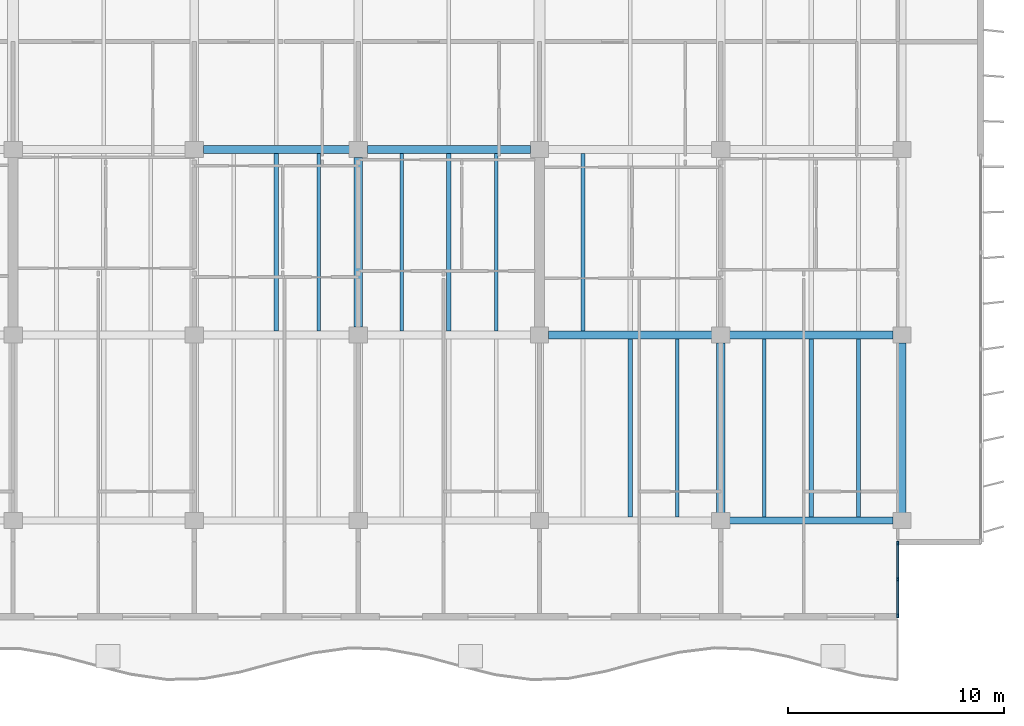
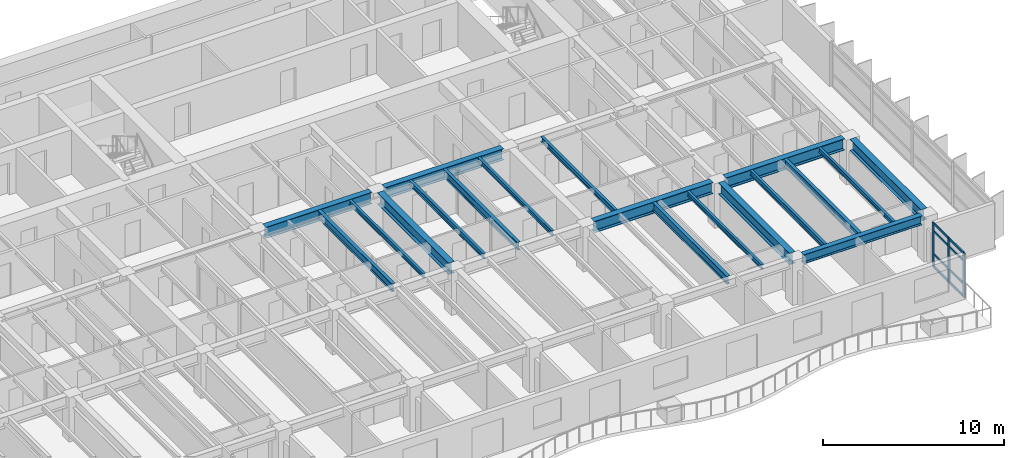
# One storey, part 4 of 19: 19 beams, 11 members, 1 element without a shape of its own.
"""IFC4 building model written with IfcOpenShell, lengths in metres."""

from ifc_helpers import new_model, si_unit, direction, frame, origin, origin_2d, place, context, subcontext, project, spatial, rectangle, i_section, extrude, material, layer, layer_set, material_profile, profile_set, type_object, element, aggregate, save


model = new_model("IFC4")

# Units and contexts
model_context = context("Model", 3, precision=1e-05, world=origin(), true_north=direction((0.0, 1.0)))
body_context = subcontext(model_context, "Body", "Model", "MODEL_VIEW")
ifc_project = project(units=[si_unit("LENGTHUNIT", "METRE"), si_unit("AREAUNIT", "SQUARE_METRE"), si_unit("VOLUMEUNIT", "CUBIC_METRE"), si_unit("PLANEANGLEUNIT", "RADIAN"), si_unit("MASSUNIT", "GRAM", prefix="KILO")], contexts=[model_context])

# Site, building, storey
site_placement = place(None, origin())
site = spatial("IfcSite", under=ifc_project, at=site_placement, CompositionType="ELEMENT")
building_placement = place(site_placement, origin())
building = spatial("IfcBuilding", under=site, at=building_placement, Name="Caelmar Bay Residences", CompositionType="ELEMENT")
storey_placement = place(building_placement, frame((0.0, 0.0, 218.10009765625)))
storey = spatial("IfcBuildingStorey", under=building, at=storey_placement, Name="L61", CompositionType="ELEMENT", Elevation=218.10009765625)

# Beams
ifc_material_1 = material(Name="Steel ASTM A992 Grade 50", Category="steel")
ifc_material_profile_1 = material_profile(ifc_material_1, i_section(OverallWidth=0.381103515625, OverallDepth=0.77197265625, WebThickness=0.0166015625, FlangeThickness=0.027099609375, FilletRadius=0.0166015625, at=origin_2d()), Name="W30X173")
ifc_profile_set_1 = profile_set([ifc_material_profile_1], Name="Steel ASTM A992 Grade 50")
beam_type_1 = type_object("IfcBeamType", Name="BM-GRD-W30X173", PredefinedType="BEAM", material=ifc_profile_set_1)
for number, where, z_axis, x_axis, name in (
    (1, (51.514892578125, 20.800048828125, 2.614013671875), (1.0, 0.0, 0.0), (0.0, 1.0, 0.0), "L61 East-West Girder Y=20.80 (51.1-59.5)"),
    (2, (59.9150390625, 20.800048828125, 2.614013671875), (1.0, 0.0, 0.0), (0.0, 1.0, 0.0), "L61 East-West Girder Y=20.80 (59.5-67.9)"),
):
    element("IfcBeam", number, at=place(storey_placement, frame(where, z_axis=z_axis, x_axis=x_axis)), inside=storey, type_object=beam_type_1, Name=name, PredefinedType="BEAM", context=body_context, shape_type="SweptSolid", body=[
        extrude(i_section(OverallWidth=0.381103515625, OverallDepth=0.77197265625, WebThickness=0.0166015625, FlangeThickness=0.027099609375, FilletRadius=0.0166015625, at=origin_2d()), origin(), (0.0, 0.0, 1.0), 7.570068359375),
    ])
beam_1_placement = place(storey_placement, frame((35.514892578125, 29.39990234375, 2.614013671875), z_axis=(1.0, 0.0, 0.0), x_axis=(0.0, 1.0, 0.0)))
element("IfcBeam", 3, at=beam_1_placement, inside=storey, type_object=beam_type_1, Name="L61 East-West Girder Y=29.40 (35.1-42.7)", PredefinedType="BEAM", context=body_context, shape_type="SweptSolid", body=[
    extrude(i_section(OverallWidth=0.381103515625, OverallDepth=0.77197265625, WebThickness=0.0166015625, FlangeThickness=0.027099609375, FilletRadius=0.0166015625, at=origin_2d()), origin(), (0.0, 0.0, 1.0), 6.77001953125),
])
beam_2_placement = place(storey_placement, frame((43.114990234375, 29.39990234375, 2.614013671875), z_axis=(1.0, 0.0, 0.0), x_axis=(0.0, 1.0, 0.0)))
element("IfcBeam", 4, at=beam_2_placement, inside=storey, type_object=beam_type_1, Name="L61 East-West Girder Y=29.40 (42.7-51.1)", PredefinedType="BEAM", context=body_context, shape_type="SweptSolid", body=[
    extrude(i_section(OverallWidth=0.381103515625, OverallDepth=0.77197265625, WebThickness=0.0166015625, FlangeThickness=0.027099609375, FilletRadius=0.0166015625, at=origin_2d()), origin(), (0.0, 0.0, 1.0), 7.570068359375),
])
beam_3_placement = place(storey_placement, frame((42.699951171875, 21.1650390625, 2.614013671875), z_axis=(0.0, 1.0, 0.0), x_axis=(-1.0, 0.0, 0.0)))
element("IfcBeam", 5, at=beam_3_placement, inside=storey, type_object=beam_type_1, Name="L61 North-South Girder X=42.70 (20.8-29.4)", PredefinedType="BEAM", context=body_context, shape_type="SweptSolid", body=[
    extrude(i_section(OverallWidth=0.381103515625, OverallDepth=0.77197265625, WebThickness=0.0166015625, FlangeThickness=0.027099609375, FilletRadius=0.0166015625, at=origin_2d()), origin(), (0.0, 0.0, 1.0), 7.869873046875),
])
for number, where, z_axis, x_axis, name in (
    (6, (59.5, 12.56494140625, 2.614013671875), (0.0, 1.0, 0.0), (-1.0, 0.0, 0.0), "L61 North-South Girder X=59.50 (12.2-20.8)"),
    (7, (67.89990234375, 12.56494140625, 2.614013671875), (0.0, 1.0, 0.0), (-1.0, 0.0, 0.0), "L61 North-South Girder X=67.90 (12.2-20.8)"),
):
    element("IfcBeam", number, at=place(storey_placement, frame(where, z_axis=z_axis, x_axis=x_axis)), inside=storey, type_object=beam_type_1, Name=name, PredefinedType="BEAM", context=body_context, shape_type="SweptSolid", body=[
        extrude(i_section(OverallWidth=0.381103515625, OverallDepth=0.77197265625, WebThickness=0.0166015625, FlangeThickness=0.027099609375, FilletRadius=0.0166015625, at=origin_2d()), origin(), (0.0, 0.0, 1.0), 7.8701171875),
    ])
ifc_material_profile_2 = material_profile(ifc_material_1, i_section(OverallWidth=0.1650390625, OverallDepth=0.31005859375, WebThickness=0.005859375, FlangeThickness=0.009765625, FilletRadius=0.007568359375, at=origin_2d()), Name="W12X26")
ifc_profile_set_2 = profile_set([ifc_material_profile_2], Name="Steel ASTM A992 Grade 50")
beam_type_2 = type_object("IfcBeamType", Name="BM-JST-W12X26", PredefinedType="JOIST", material=ifc_profile_set_2)
for number, where, z_axis, x_axis, name in (
    (8, (57.48388671875, 12.362548828125, 2.844970703125), (0.0, 1.0, 0.0), (-1.0, 0.0, 0.0), "L61 Composite Floor Joist 18"),
    (9, (65.884033203125, 12.362548828125, 2.844970703125), (0.0, 1.0, 0.0), (-1.0, 0.0, 0.0), "L61 Composite Floor Joist 21"),
):
    element("IfcBeam", number, at=place(storey_placement, frame(where, z_axis=z_axis, x_axis=x_axis)), inside=storey, type_object=beam_type_2, Name=name, PredefinedType="JOIST", context=body_context, shape_type="SweptSolid", body=[
        extrude(i_section(OverallWidth=0.1650390625, OverallDepth=0.31005859375, WebThickness=0.005859375, FlangeThickness=0.009765625, FilletRadius=0.007568359375, at=origin_2d()), origin(), (0.0, 0.0, 1.0), 8.2470703125),
    ])
for number, where, z_axis, x_axis, name in (
    (10, (40.8759765625, 20.990478515625, 2.844970703125), (0.0, 1.0, 0.0), (-1.0, 0.0, 0.0), "L61 Composite Floor Joist 33"),
    (11, (49.083984375, 20.990478515625, 2.844970703125), (0.0, 1.0, 0.0), (-1.0, 0.0, 0.0), "L61 Composite Floor Joist 36"),
):
    element("IfcBeam", number, at=place(storey_placement, frame(where, z_axis=z_axis, x_axis=x_axis)), inside=storey, type_object=beam_type_2, Name=name, PredefinedType="JOIST", context=body_context, shape_type="SweptSolid", body=[
        extrude(i_section(OverallWidth=0.1650390625, OverallDepth=0.31005859375, WebThickness=0.005859375, FlangeThickness=0.009765625, FilletRadius=0.007568359375, at=origin_2d()), origin(), (0.0, 0.0, 1.0), 8.218994140625),
    ])
ifc_material_profile_3 = material_profile(ifc_material_1, i_section(OverallWidth=0.1708984375, OverallDepth=0.35595703125, WebThickness=0.007080078125, FlangeThickness=0.01171875, FilletRadius=0.007568359375, at=origin_2d()), Name="W14X34")
ifc_profile_set_3 = profile_set([ifc_material_profile_3], Name="Steel ASTM A992 Grade 50")
beam_type_3 = type_object("IfcBeamType", Name="BM-JST-W14X34", PredefinedType="JOIST", material=ifc_profile_set_3)
beam_4_placement = place(storey_placement, frame((61.51611328125, 12.362548828125, 2.822021484375), z_axis=(0.0, 1.0, 0.0), x_axis=(-1.0, 0.0, 0.0)))
element("IfcBeam", 12, at=beam_4_placement, inside=storey, type_object=beam_type_3, Name="L61 Composite Floor Joist 19", PredefinedType="JOIST", context=body_context, shape_type="SweptSolid", body=[
    extrude(i_section(OverallWidth=0.1708984375, OverallDepth=0.35595703125, WebThickness=0.007080078125, FlangeThickness=0.01171875, FilletRadius=0.007568359375, at=origin_2d()), origin(), (0.0, 0.0, 1.0), 8.2470703125),
])
for number, where, z_axis, x_axis, name in (
    (13, (44.716064453125, 20.990478515625, 2.822021484375), (0.0, 1.0, 0.0), (-1.0, 0.0, 0.0), "L61 Composite Floor Joist 34"),
    (14, (53.115966796875, 20.990478515625, 2.822021484375), (0.0, 1.0, 0.0), (-1.0, 0.0, 0.0), "L61 Composite Floor Joist 37"),
):
    element("IfcBeam", number, at=place(storey_placement, frame(where, z_axis=z_axis, x_axis=x_axis)), inside=storey, type_object=beam_type_3, Name=name, PredefinedType="JOIST", context=body_context, shape_type="SweptSolid", body=[
        extrude(i_section(OverallWidth=0.1708984375, OverallDepth=0.35595703125, WebThickness=0.007080078125, FlangeThickness=0.01171875, FilletRadius=0.007568359375, at=origin_2d()), origin(), (0.0, 0.0, 1.0), 8.218994140625),
    ])
ifc_material_profile_4 = material_profile(ifc_material_1, i_section(OverallWidth=0.2099609375, OverallDepth=0.535888671875, WebThickness=0.010986328125, FlangeThickness=0.017333984375, FilletRadius=0.0126953125, at=origin_2d()), Name="W21X68")
ifc_profile_set_4 = profile_set([ifc_material_profile_4], Name="Steel ASTM A992 Grade 50")
beam_type_4 = type_object("IfcBeamType", Name="BM-JST-W21X68", PredefinedType="JOIST", material=ifc_profile_set_4)
for number, where, z_axis, x_axis, name in (
    (15, (55.300048828125, 12.362548828125, 2.73193359375), (0.0, 1.0, 0.0), (-1.0, 0.0, 0.0), "L61 Composite Floor Joist 17"),
    (16, (63.699951171875, 12.362548828125, 2.73193359375), (0.0, 1.0, 0.0), (-1.0, 0.0, 0.0), "L61 Composite Floor Joist 20"),
):
    element("IfcBeam", number, at=place(storey_placement, frame(where, z_axis=z_axis, x_axis=x_axis)), inside=storey, type_object=beam_type_4, Name=name, PredefinedType="JOIST", context=body_context, shape_type="SweptSolid", body=[
        extrude(i_section(OverallWidth=0.2099609375, OverallDepth=0.535888671875, WebThickness=0.010986328125, FlangeThickness=0.017333984375, FilletRadius=0.0126953125, at=origin_2d()), origin(), (0.0, 0.0, 1.0), 8.2470703125),
    ])
for number, where, z_axis, x_axis, name in (
    (17, (38.89990234375, 20.990478515625, 2.73193359375), (0.0, 1.0, 0.0), (-1.0, 0.0, 0.0), "L61 Composite Floor Joist 32"),
    (18, (46.89990234375, 20.990478515625, 2.73193359375), (0.0, 1.0, 0.0), (-1.0, 0.0, 0.0), "L61 Composite Floor Joist 35"),
):
    element("IfcBeam", number, at=place(storey_placement, frame(where, z_axis=z_axis, x_axis=x_axis)), inside=storey, type_object=beam_type_4, Name=name, PredefinedType="JOIST", context=body_context, shape_type="SweptSolid", body=[
        extrude(i_section(OverallWidth=0.2099609375, OverallDepth=0.535888671875, WebThickness=0.010986328125, FlangeThickness=0.017333984375, FilletRadius=0.0126953125, at=origin_2d()), origin(), (0.0, 0.0, 1.0), 8.218994140625),
    ])
ifc_material_profile_5 = material_profile(ifc_material_1, i_section(OverallWidth=0.324951171875, OverallDepth=0.616943359375, WebThickness=0.013916015625, FlangeThickness=0.021484375, FilletRadius=0.0126953125, at=origin_2d()), Name="W24X117")
ifc_profile_set_5 = profile_set([ifc_material_profile_5], Name="Steel ASTM A992 Grade 50")
beam_type_5 = type_object("IfcBeamType", Name="BM-SPN-W24X117", PredefinedType="SPANDREL", material=ifc_profile_set_5)
beam_5_placement = place(storey_placement, frame((59.9150390625, 12.199951171875, 2.69140625), z_axis=(1.0, 0.0, 0.0), x_axis=(0.0, 1.0, 0.0)))
element("IfcBeam", 19, at=beam_5_placement, inside=storey, type_object=beam_type_5, Name="L61 East-West Girder Y=12.20 (59.5-67.9)", PredefinedType="SPANDREL", context=body_context, shape_type="SweptSolid", body=[
    extrude(i_section(OverallWidth=0.324951171875, OverallDepth=0.616943359375, WebThickness=0.013916015625, FlangeThickness=0.021484375, FilletRadius=0.0126953125, at=origin_2d()), origin(), (0.0, 0.0, 1.0), 7.570068359375),
])

# Curtain wall, members
ifc_material_2 = material(Name="Anodised bronze aluminium 6063-T6 and laminated glass", Category="aluminium")
ifc_layer = layer(ifc_material_2, 0.179931640625)
ifc_layer_set = layer_set([ifc_layer], Name="Anodised bronze aluminium 6063-T6 and laminated glass")
curtain_wall_type = type_object("IfcCurtainWallType", Name="CW6-NTC", PredefinedType="NOTDEFINED", material=ifc_layer_set)
curtain_wall_placement = place(storey_placement, origin())
curtain_wall = element("IfcCurtainWall", 20, at=curtain_wall_placement, inside=storey, type_object=curtain_wall_type, Name="CW6 curtain wall L61", PredefinedType="NOTDEFINED")
ifc_material_3 = material(Name="Anodised bronze aluminium 6063-T6", Category="aluminium")
ifc_material_profile_6 = material_profile(ifc_material_3, rectangle(XDim=0.080078125, YDim=0.179931640625, at=origin_2d()), Name="CWM-80X180")
ifc_profile_set_6 = profile_set([ifc_material_profile_6], Name="Anodised bronze aluminium 6063-T6")
member_type_1 = type_object("IfcMemberType", Name="CWM-180", PredefinedType="MULLION", material=ifc_profile_set_6)
member_1_placement = place(storey_placement, frame((67.699951171875, 7.7900390625, 0.0), z_axis=(0.0, 0.0, 1.0), x_axis=(-1.0, 0.0, 0.0)))
member_1 = element("IfcMember", 21, at=member_1_placement, type_object=member_type_1, Name="CW6 mullion 1", PredefinedType="MULLION", context=body_context, shape_type="SweptSolid", body=[
    extrude(rectangle(XDim=0.080078125, YDim=0.179931640625, at=origin_2d()), origin(), (0.0, 0.0, 1.0), 3.0),
])
member_2_placement = place(storey_placement, frame((67.699951171875, 9.47509765625, 0.0), z_axis=(0.0, 0.0, 1.0), x_axis=(-1.0, 0.0, 0.0)))
member_2 = element("IfcMember", 22, at=member_2_placement, type_object=member_type_1, Name="CW6 mullion 2", PredefinedType="MULLION", context=body_context, shape_type="SweptSolid", body=[
    extrude(rectangle(XDim=0.080078125, YDim=0.179931640625, at=origin_2d()), origin(), (0.0, 0.0, 1.0), 3.0),
])
member_3_placement = place(storey_placement, frame((67.699951171875, 11.159912109375, 0.0), z_axis=(0.0, 0.0, 1.0), x_axis=(-1.0, 0.0, 0.0)))
member_3 = element("IfcMember", 23, at=member_3_placement, type_object=member_type_1, Name="CW6 mullion 3", PredefinedType="MULLION", context=body_context, shape_type="SweptSolid", body=[
    extrude(rectangle(XDim=0.080078125, YDim=0.179931640625, at=origin_2d()), origin(), (0.0, 0.0, 1.0), 3.0),
])
ifc_material_profile_7 = material_profile(ifc_material_3, rectangle(XDim=0.080078125, YDim=0.139892578125, at=origin_2d()), Name="CWT-80X140")
ifc_profile_set_7 = profile_set([ifc_material_profile_7], Name="Anodised bronze aluminium 6063-T6")
member_type_2 = type_object("IfcMemberType", Name="CWT-140", PredefinedType="NOTDEFINED", material=ifc_profile_set_7)
member_4_placement = place(storey_placement, frame((67.699951171875, 7.830078125, 0.039794921875), z_axis=(0.0, 1.0, 0.0), x_axis=(-1.0, 0.0, 0.0)))
member_4 = element("IfcMember", 24, at=member_4_placement, type_object=member_type_2, Name="CW6 transom 1.1", ObjectType="TRANSOM", PredefinedType="USERDEFINED", context=body_context, shape_type="SweptSolid", body=[
    extrude(rectangle(XDim=0.080078125, YDim=0.139892578125, at=origin_2d()), origin(), (0.0, 0.0, 1.0), 1.60498046875),
])
member_5_placement = place(storey_placement, frame((67.699951171875, 7.830078125, 0.89990234375), z_axis=(0.0, 1.0, 0.0), x_axis=(-1.0, 0.0, 0.0)))
member_5 = element("IfcMember", 25, at=member_5_placement, type_object=member_type_2, Name="CW6 transom 1.2", ObjectType="TRANSOM", PredefinedType="USERDEFINED", context=body_context, shape_type="SweptSolid", body=[
    extrude(rectangle(XDim=0.080078125, YDim=0.139892578125, at=origin_2d()), origin(), (0.0, 0.0, 1.0), 1.60498046875),
])
member_6_placement = place(storey_placement, frame((67.699951171875, 7.830078125, 2.449951171875), z_axis=(0.0, 1.0, 0.0), x_axis=(-1.0, 0.0, 0.0)))
member_6 = element("IfcMember", 26, at=member_6_placement, type_object=member_type_2, Name="CW6 transom 1.3", ObjectType="TRANSOM", PredefinedType="USERDEFINED", context=body_context, shape_type="SweptSolid", body=[
    extrude(rectangle(XDim=0.080078125, YDim=0.139892578125, at=origin_2d()), origin(), (0.0, 0.0, 1.0), 1.60498046875),
])
member_7_placement = place(storey_placement, frame((67.699951171875, 7.830078125, 2.9599609375), z_axis=(0.0, 1.0, 0.0), x_axis=(-1.0, 0.0, 0.0)))
member_7 = element("IfcMember", 27, at=member_7_placement, type_object=member_type_2, Name="CW6 transom 1.4", ObjectType="TRANSOM", PredefinedType="USERDEFINED", context=body_context, shape_type="SweptSolid", body=[
    extrude(rectangle(XDim=0.080078125, YDim=0.139892578125, at=origin_2d()), origin(), (0.0, 0.0, 1.0), 1.60498046875),
])
member_8_placement = place(storey_placement, frame((67.699951171875, 9.514892578125, 0.039794921875), z_axis=(0.0, 1.0, 0.0), x_axis=(-1.0, 0.0, 0.0)))
member_8 = element("IfcMember", 28, at=member_8_placement, type_object=member_type_2, Name="CW6 transom 2.1", ObjectType="TRANSOM", PredefinedType="USERDEFINED", context=body_context, shape_type="SweptSolid", body=[
    extrude(rectangle(XDim=0.080078125, YDim=0.139892578125, at=origin_2d()), origin(), (0.0, 0.0, 1.0), 1.605224609375),
])
member_9_placement = place(storey_placement, frame((67.699951171875, 9.514892578125, 0.89990234375), z_axis=(0.0, 1.0, 0.0), x_axis=(-1.0, 0.0, 0.0)))
member_9 = element("IfcMember", 29, at=member_9_placement, type_object=member_type_2, Name="CW6 transom 2.2", ObjectType="TRANSOM", PredefinedType="USERDEFINED", context=body_context, shape_type="SweptSolid", body=[
    extrude(rectangle(XDim=0.080078125, YDim=0.139892578125, at=origin_2d()), origin(), (0.0, 0.0, 1.0), 1.605224609375),
])
member_10_placement = place(storey_placement, frame((67.699951171875, 9.514892578125, 2.449951171875), z_axis=(0.0, 1.0, 0.0), x_axis=(-1.0, 0.0, 0.0)))
member_10 = element("IfcMember", 30, at=member_10_placement, type_object=member_type_2, Name="CW6 transom 2.3", ObjectType="TRANSOM", PredefinedType="USERDEFINED", context=body_context, shape_type="SweptSolid", body=[
    extrude(rectangle(XDim=0.080078125, YDim=0.139892578125, at=origin_2d()), origin(), (0.0, 0.0, 1.0), 1.605224609375),
])
member_11_placement = place(storey_placement, frame((67.699951171875, 9.514892578125, 2.9599609375), z_axis=(0.0, 1.0, 0.0), x_axis=(-1.0, 0.0, 0.0)))
member_11 = element("IfcMember", 31, at=member_11_placement, type_object=member_type_2, Name="CW6 transom 2.4", ObjectType="TRANSOM", PredefinedType="USERDEFINED", context=body_context, shape_type="SweptSolid", body=[
    extrude(rectangle(XDim=0.080078125, YDim=0.139892578125, at=origin_2d()), origin(), (0.0, 0.0, 1.0), 1.605224609375),
])
aggregate(curtain_wall, [member_1, member_2, member_3, member_4, member_5, member_6, member_7, member_8, member_9, member_10, member_11])

save(model, "model.ifc")
